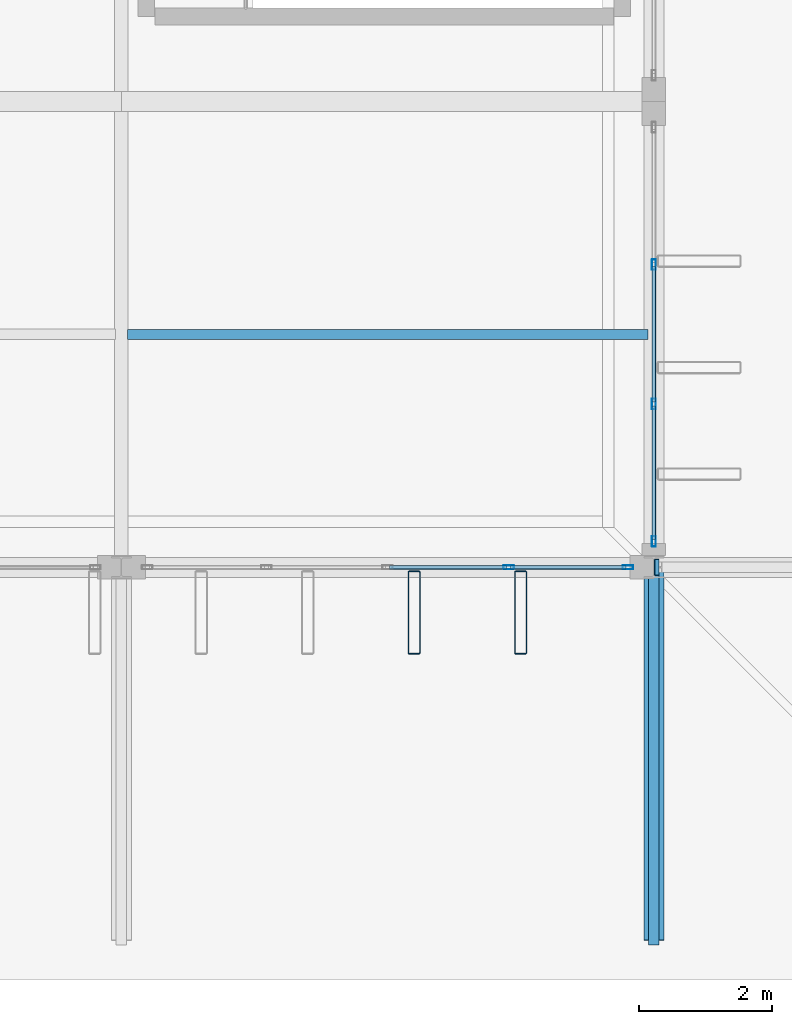
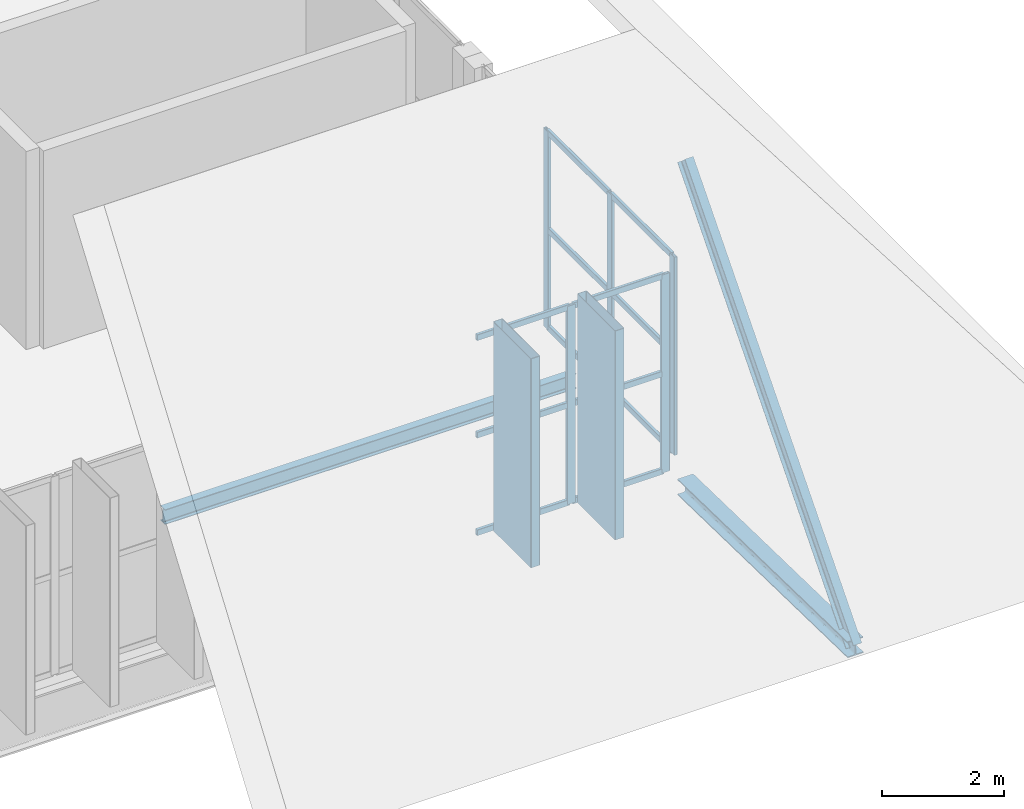
# One storey, part 38 of 93: 20 members, 2 beams, 2 elements without a shape of their own.
"""IFC4 building model written with IfcOpenShell, lengths in metres."""

import ifcopenshell
import ifcopenshell.guid

model = None  # the IFC model being written
_history = None  # IfcOwnerHistory: only IFC2X3 demands one
_inside = {}  # id of a spatial element -> (the spatial element, [elements in it])
_under = {}  # id of a project, library or spatial element -> (it, [spatial elements below it])
_declared = {}  # id of a project -> (the project, [libraries it declares])
_typed = {}  # id of a type object -> (the type object, [elements of that type])
_made_of = {}  # id of a material, layer set ... -> (it, [elements and type objects made of it])


def new_model(schema):
    """Start an empty IFC model of exactly this schema.

    Asked for "IFC4X3", IfcOpenShell would pick the latest addendum, in which some entities
    have other attributes; the version numbers below select the first issue.
    IFC2X3 requires an IfcOwnerHistory on every rooted entity: one is made here for all.
    """
    global model, _history
    if schema == "IFC4X3":
        model = ifcopenshell.file(schema_version=(4, 3, 0, 0))
    else:
        model = ifcopenshell.file(schema=schema)
    _inside.clear()
    _under.clear()
    _declared.clear()
    _typed.clear()
    _made_of.clear()
    _history = None
    if model.schema == "IFC2X3":
        org = make("IfcOrganization", Name="unknown")
        user = make(
            "IfcPersonAndOrganization",
            ThePerson=make("IfcPerson", FamilyName="unknown"),
            TheOrganization=org,
        )
        app = make(
            "IfcApplication",
            ApplicationDeveloper=org,
            Version="unknown",
            ApplicationFullName="unknown",
            ApplicationIdentifier="unknown",
        )
        _history = make(
            "IfcOwnerHistory",
            OwningUser=user,
            OwningApplication=app,
            ChangeAction="ADDED",
            CreationDate=0,
        )
    return model


def make(cls, **values):
    """One entity of the class cls with the attributes given. An attribute that is None is left unset."""
    return model.create_entity(
        cls, **{name: value for name, value in values.items() if value is not None}
    )


def rooted(cls, **values):
    """An entity with a GlobalId (a new one), such as an element, a storey or a relation."""
    return make(cls, GlobalId=ifcopenshell.guid.new(), OwnerHistory=_history, **values)


def si_unit(unit_type, name, prefix=None):
    """IfcSIUnit, for example si_unit("LENGTHUNIT", "METRE", prefix="MILLI")."""
    return make("IfcSIUnit", UnitType=unit_type, Prefix=prefix, Name=name)


def assignment(units):
    """IfcUnitAssignment: the units of a project."""
    return None if units is None else make("IfcUnitAssignment", Units=units)


def point(xyz):
    """IfcCartesianPoint."""
    return None if xyz is None else make("IfcCartesianPoint", Coordinates=xyz)


def direction(xyz):
    """IfcDirection."""
    return None if xyz is None else make("IfcDirection", DirectionRatios=xyz)


def frame(location, z_axis=None, x_axis=None):
    """IfcAxis2Placement3D, a coordinate frame: its origin and axes. An axis left out is left unset."""
    return make(
        "IfcAxis2Placement3D",
        Location=point(location),
        Axis=direction(z_axis),
        RefDirection=direction(x_axis),
    )


def frame_2d(location, x_axis=None):
    """IfcAxis2Placement2D, a coordinate frame in the plane: its origin and x axis."""
    return make(
        "IfcAxis2Placement2D", Location=point(location), RefDirection=direction(x_axis)
    )


def origin():
    """The frame at (0, 0, 0) with its axes left unset."""
    return frame((0.0, 0.0, 0.0))


def origin_2d():
    """The frame at (0, 0) in the plane with its x axis left unset."""
    return frame_2d((0.0, 0.0))


def place(relative_to, where):
    """IfcLocalPlacement: puts the frame where relative to a parent placement (None: the world)."""
    return make(
        "IfcLocalPlacement", PlacementRelTo=relative_to, RelativePlacement=where
    )


def context(
    kind, dimensions, precision=None, world=None, true_north=None, identifier=None
):
    """IfcGeometricRepresentationContext, for example the 3D "Model" context."""
    return make(
        "IfcGeometricRepresentationContext",
        ContextIdentifier=identifier,
        ContextType=kind,
        CoordinateSpaceDimension=dimensions,
        Precision=precision,
        WorldCoordinateSystem=world,
        TrueNorth=true_north,
    )


def subcontext(parent, identifier, kind, view, scale=None):
    """IfcGeometricRepresentationSubContext, for example "Body" below "Model"."""
    return make(
        "IfcGeometricRepresentationSubContext",
        ContextIdentifier=identifier,
        ContextType=kind,
        ParentContext=parent,
        TargetScale=scale,
        TargetView=view,
    )


def project(units=None, contexts=None):
    """IfcProject with its units and contexts."""
    return rooted(
        "IfcProject",
        Name="project",
        RepresentationContexts=contexts,
        UnitsInContext=assignment(units),
    )


def spatial(cls, under=None, at=None, **own):
    """A site, building, storey or space (cls), placed at a placement, below another one or the project."""
    s = rooted(cls, ObjectPlacement=at, **own)
    if under is not None:
        _under.setdefault(under.id(), (under, []))[1].append(s)
    return s


def profile(cls, at=None, kind="AREA", **sizes):
    """A parametric profile (cls). Its sizes go by their IFC names, for example OverallWidth=200.0."""
    return make(cls, ProfileType=kind, Position=at, **sizes)


def hollow_rectangle(**sizes):
    """IfcRectangleHollowProfileDef."""
    return profile("IfcRectangleHollowProfileDef", **sizes)


def i_section(**sizes):
    """IfcIShapeProfileDef."""
    return profile("IfcIShapeProfileDef", **sizes)


def extrude(swept, where, along, depth):
    """IfcExtrudedAreaSolid: the profile swept, set in the frame where, extruded along a direction by depth."""
    return make(
        "IfcExtrudedAreaSolid",
        SweptArea=swept,
        Position=where,
        ExtrudedDirection=direction(along),
        Depth=depth,
    )


def shape(context_of_items, identifier, shape_type, items):
    """IfcShapeRepresentation: the items that make up one representation, for example the "Body"."""
    return make(
        "IfcShapeRepresentation",
        ContextOfItems=context_of_items,
        RepresentationIdentifier=identifier,
        RepresentationType=shape_type,
        Items=items,
    )


def material(Name=None, Category=None):
    """IfcMaterial."""
    return make("IfcMaterial", Name=Name, Category=Category)


def layer(
    of_material, thickness, ventilated=None, Name=None, Category=None, Priority=None
):
    """IfcMaterialLayer: one layer of a wall or slab, of a material (None: an air gap)."""
    return make(
        "IfcMaterialLayer",
        Material=of_material,
        LayerThickness=thickness,
        IsVentilated=ventilated,
        Name=Name,
        Category=Category,
        Priority=Priority,
    )


def layer_set(layers, Name=None):
    """IfcMaterialLayerSet."""
    return make("IfcMaterialLayerSet", MaterialLayers=layers, LayerSetName=Name)


def material_profile(
    of_material, cross_section, Name=None, Category=None, Priority=None
):
    """IfcMaterialProfile: a cross section and its material."""
    return make(
        "IfcMaterialProfile",
        Name=Name,
        Material=of_material,
        Profile=cross_section,
        Priority=Priority,
        Category=Category,
    )


def profile_set(profiles, Name=None, composite=None):
    """IfcMaterialProfileSet."""
    return make(
        "IfcMaterialProfileSet",
        Name=Name,
        MaterialProfiles=profiles,
        CompositeProfile=composite,
    )


def made_of(thing, what):
    """Note that an element or type object is made of a material, layer set ...; save() writes the relation."""
    if what is not None:
        _made_of.setdefault(what.id(), (what, []))[1].append(thing)
    return thing


def type_object(cls, material=None, **own):
    """A type object (cls), such as IfcWallType, which elements share."""
    return made_of(rooted(cls, **own), material)


def element(
    cls,
    number,
    at=None,
    inside=None,
    cuts=None,
    type_object=None,
    material=None,
    context=None,
    identifier="Body",
    shape_type=None,
    held_by="IfcProductDefinitionShape",
    body=None,
    shapes=None,
    **own,
):
    """One element of the class cls, such as IfcWall. Its Tag is "e" and its number.

    at: its placement. inside: the storey or other place that contains it. cuts: it is an
    opening in that element (IfcRelVoidsElement). A single representation is given by context,
    identifier, shape_type and body (its items); several are given by shapes. held_by: the class
    of the entity that holds the representations. save() writes the other relations.
    """
    e = rooted(cls, Tag="e%d" % number, ObjectPlacement=at, **own)
    if body is not None:
        shapes = [shape(context, identifier, shape_type, body)]
    if shapes is not None:
        e.Representation = make(held_by, Representations=shapes)
    if inside is not None:
        _inside.setdefault(inside.id(), (inside, []))[1].append(e)
    if cuts is not None:
        rooted(
            "IfcRelVoidsElement", RelatingBuildingElement=cuts, RelatedOpeningElement=e
        )
    if type_object is not None:
        _typed.setdefault(type_object.id(), (type_object, []))[1].append(e)
    return made_of(e, material)


def aggregate(whole, parts):
    """IfcRelAggregates: a whole, such as a stair, and the parts it consists of."""
    return rooted("IfcRelAggregates", RelatingObject=whole, RelatedObjects=parts)


def save(model, path):
    """Write the relations noted so far, then the file.

    IfcRelAggregates (storeys below a building ...), IfcRelContainedInSpatialStructure (elements
    in a storey), IfcRelDefinesByType, IfcRelAssociatesMaterial and IfcRelDeclares: one each for
    every whole, place, type object, material and project.
    """
    for whole, parts in _under.values():
        aggregate(whole, parts)
    for where, things in _inside.values():
        rooted(
            "IfcRelContainedInSpatialStructure",
            RelatedElements=things,
            RelatingStructure=where,
        )
    for kind, things in _typed.values():
        rooted("IfcRelDefinesByType", RelatedObjects=things, RelatingType=kind)
    for what, things in _made_of.values():
        rooted("IfcRelAssociatesMaterial", RelatedObjects=things, RelatingMaterial=what)
    for by, libraries in _declared.values():
        rooted("IfcRelDeclares", RelatingContext=by, RelatedDefinitions=libraries)
    model.write(path)


model = new_model("IFC4")

# Units and contexts
model_context = context("Model", 3, precision=1e-05, world=origin(), true_north=direction((0.0, 1.0)))
body_context = subcontext(model_context, "Body", "Model", "MODEL_VIEW")
ifc_project = project(units=[si_unit("LENGTHUNIT", "METRE"), si_unit("AREAUNIT", "SQUARE_METRE"), si_unit("VOLUMEUNIT", "CUBIC_METRE"), si_unit("PLANEANGLEUNIT", "RADIAN"), si_unit("MASSUNIT", "GRAM", prefix="KILO")], contexts=[model_context])

# Site, building, storey
site_placement = place(None, origin())
site = spatial("IfcSite", under=ifc_project, at=site_placement, CompositionType="ELEMENT")
building_placement = place(site_placement, origin())
building = spatial("IfcBuilding", under=site, at=building_placement, Name="Vekula Escarpment Museum", CompositionType="ELEMENT")
storey_placement = place(building_placement, frame((0.0, 0.0, 22.199951171875)))
storey = spatial("IfcBuildingStorey", under=building, at=storey_placement, Name="L05", CompositionType="ELEMENT", Elevation=22.199951171875)

# Beams
ifc_material_1 = material(Name="Steel S355", Category="steel")
ifc_material_profile_1 = material_profile(ifc_material_1, i_section(OverallWidth=0.300048828125, OverallDepth=0.320068359375, WebThickness=0.011474609375, FlangeThickness=0.0205078125, FilletRadius=0.027099609375, at=origin_2d()), Name="HEB 320")
ifc_profile_set_1 = profile_set([ifc_material_profile_1], Name="Steel S355")
beam_type_1 = type_object("IfcBeamType", Name="BM-EAVE-OUT", PredefinedType="BEAM", material=ifc_profile_set_1)
beam_1_placement = place(storey_placement, frame((126.0, 45.60009765625, -0.39990234375), z_axis=(0.0, -0.999770980386, 0.021400625659), x_axis=(1.0, 0.0, 0.0)))
element("IfcBeam", 1, at=beam_1_placement, inside=storey, type_object=beam_type_1, Name="Great Hall South Eave Outrigger 126", PredefinedType="BEAM", context=body_context, shape_type="SweptSolid", body=[
    extrude(i_section(OverallWidth=0.300048828125, OverallDepth=0.320068359375, WebThickness=0.011474609375, FlangeThickness=0.0205078125, FilletRadius=0.027099609375, at=origin_2d()), origin(), (0.0, 0.0, 1.0), 5.601318359375),
])
ifc_material_2 = material(Name="Steel S355", Category="steel")
ifc_material_profile_2 = material_profile(ifc_material_2, i_section(OverallWidth=0.14990234375, OverallDepth=0.300048828125, WebThickness=0.007080078125, FlangeThickness=0.0107421875, FilletRadius=0.014892578125, at=origin_2d()), Name="IPE 300")
ifc_profile_set_2 = profile_set([ifc_material_profile_2], Name="Steel S355")
beam_type_2 = type_object("IfcBeamType", Name="BM-JST-IPE300", PredefinedType="JOIST", material=ifc_profile_set_2)
beam_2_placement = place(storey_placement, frame((118.090087890625, 49.10009765625, -0.369873046875), z_axis=(1.0, 0.0, 0.0), x_axis=(0.0, 1.0, 0.0)))
element("IfcBeam", 2, at=beam_2_placement, inside=storey, type_object=beam_type_2, Name="Secondary Joist L05 1374", PredefinedType="JOIST", context=body_context, shape_type="SweptSolid", body=[
    extrude(i_section(OverallWidth=0.14990234375, OverallDepth=0.300048828125, WebThickness=0.007080078125, FlangeThickness=0.0107421875, FilletRadius=0.014892578125, at=origin_2d()), origin(), (0.0, 0.0, 1.0), 7.81982421875),
])

# Curtain wall, members
ifc_material_3 = material(Name="Aluminium thermally broken framing", Category="aluminium")
ifc_layer_1 = layer(ifc_material_3, 0.14990234375)
ifc_layer_set_1 = layer_set([ifc_layer_1], Name="Aluminium thermally broken framing")
curtain_wall_type_1 = type_object("IfcCurtainWallType", Name="CW-SYS-09", PredefinedType="NOTDEFINED", material=ifc_layer_set_1)
curtain_wall_1_placement = place(storey_placement, origin())
curtain_wall_1 = element("IfcCurtainWall", 3, at=curtain_wall_1_placement, inside=storey, type_object=curtain_wall_type_1, Name="Curtain Wall CW-L05-169", PredefinedType="NOTDEFINED")
ifc_material_4 = material(Name="Aluminium anodized mullion", Category="aluminium")
ifc_material_profile_3 = material_profile(ifc_material_4, hollow_rectangle(XDim=0.06005859375, YDim=0.159912109375, WallThickness=0.00390625, InnerFilletRadius=0.00390625, OuterFilletRadius=0.008056640625, at=origin_2d()), Name="ALU 160x60x4")
ifc_profile_set_3 = profile_set([ifc_material_profile_3], Name="Aluminium anodized mullion")
member_type_1 = type_object("IfcMemberType", Name="CW-MUL-160", PredefinedType="MULLION", material=ifc_profile_set_3)
member_1_placement = place(storey_placement, frame((123.820068359375, 45.60009765625, 0.0), z_axis=(0.0, 0.0, 1.0), x_axis=(0.0, 1.0, 0.0)))
member_1 = element("IfcMember", 4, at=member_1_placement, type_object=member_type_1, Name="CW-09 mullion 4", PredefinedType="MULLION", context=body_context, shape_type="SweptSolid", body=[
    extrude(hollow_rectangle(XDim=0.06005859375, YDim=0.159912109375, WallThickness=0.00390625, InnerFilletRadius=0.00390625, OuterFilletRadius=0.008056640625, at=origin_2d()), origin(), (0.0, 0.0, 1.0), 3.97998046875),
])
member_2_placement = place(storey_placement, frame((125.610107421875, 45.60009765625, 0.0), z_axis=(0.0, 0.0, 1.0), x_axis=(0.0, 1.0, 0.0)))
member_2 = element("IfcMember", 5, at=member_2_placement, type_object=member_type_1, Name="CW-09 mullion 5", PredefinedType="MULLION", context=body_context, shape_type="SweptSolid", body=[
    extrude(hollow_rectangle(XDim=0.06005859375, YDim=0.159912109375, WallThickness=0.00390625, InnerFilletRadius=0.00390625, OuterFilletRadius=0.008056640625, at=origin_2d()), origin(), (0.0, 0.0, 1.0), 3.97998046875),
])

ifc_material_5 = material(Name="Aluminium thermally broken framing", Category="aluminium")
ifc_layer_2 = layer(ifc_material_5, 0.169921875)
ifc_layer_set_2 = layer_set([ifc_layer_2], Name="Aluminium thermally broken framing")
curtain_wall_type_2 = type_object("IfcCurtainWallType", Name="CW-SYS-10", PredefinedType="NOTDEFINED", material=ifc_layer_set_2)
curtain_wall_2_placement = place(storey_placement, origin())
curtain_wall_2 = element("IfcCurtainWall", 6, at=curtain_wall_2_placement, inside=storey, type_object=curtain_wall_type_2, Name="Curtain Wall CW-L05-170", PredefinedType="NOTDEFINED")
member_3_placement = place(storey_placement, frame((126.0, 45.989990234375, 0.0), z_axis=(0.0, 0.0, 1.0), x_axis=(-1.0, 0.0, 0.0)))
member_3 = element("IfcMember", 7, at=member_3_placement, type_object=member_type_1, Name="CW-10 mullion 1", PredefinedType="MULLION", context=body_context, shape_type="SweptSolid", body=[
    extrude(hollow_rectangle(XDim=0.06005859375, YDim=0.159912109375, WallThickness=0.00390625, InnerFilletRadius=0.00390625, OuterFilletRadius=0.008056640625, at=origin_2d()), origin(), (0.0, 0.0, 1.0), 3.97998046875),
])
member_4_placement = place(storey_placement, frame((126.0, 48.05322265625, 0.0), z_axis=(0.0, 0.0, 1.0), x_axis=(-1.0, 0.0, 0.0)))
member_4 = element("IfcMember", 8, at=member_4_placement, type_object=member_type_1, Name="CW-10 mullion 2", PredefinedType="MULLION", context=body_context, shape_type="SweptSolid", body=[
    extrude(hollow_rectangle(XDim=0.06005859375, YDim=0.159912109375, WallThickness=0.00390625, InnerFilletRadius=0.00390625, OuterFilletRadius=0.008056640625, at=origin_2d()), origin(), (0.0, 0.0, 1.0), 3.97998046875),
])
member_5_placement = place(storey_placement, frame((126.0, 50.146728515625, 0.0), z_axis=(0.0, 0.0, 1.0), x_axis=(-1.0, 0.0, 0.0)))
member_5 = element("IfcMember", 9, at=member_5_placement, type_object=member_type_1, Name="CW-10 mullion 3", PredefinedType="MULLION", context=body_context, shape_type="SweptSolid", body=[
    extrude(hollow_rectangle(XDim=0.06005859375, YDim=0.159912109375, WallThickness=0.00390625, InnerFilletRadius=0.00390625, OuterFilletRadius=0.008056640625, at=origin_2d()), origin(), (0.0, 0.0, 1.0), 3.97998046875),
])

# Member
ifc_material_6 = material(Name="Aluminium anodized transom", Category="aluminium")
ifc_material_profile_4 = material_profile(ifc_material_6, hollow_rectangle(XDim=0.06005859375, YDim=0.1201171875, WallThickness=0.00390625, InnerFilletRadius=0.00390625, OuterFilletRadius=0.008056640625, at=origin_2d()), Name="ALU 120x60x4")
ifc_profile_set_4 = profile_set([ifc_material_profile_4], Name="Aluminium anodized transom")
member_type_2 = type_object("IfcMemberType", Name="CW-TRN-120", PredefinedType="USERDEFINED", material=ifc_profile_set_4)
member_6_placement = place(storey_placement, frame((122.030029296875, 45.60009765625, 0.030029296875), z_axis=(1.0, 0.0, 0.0), x_axis=(0.0, 1.0, 0.0)))
member_6 = element("IfcMember", 10, at=member_6_placement, type_object=member_type_2, Name="CW-09 transom 3.1", ObjectType="TRANSOM", PredefinedType="USERDEFINED", context=body_context, shape_type="SweptSolid", body=[
    extrude(hollow_rectangle(XDim=0.06005859375, YDim=0.1201171875, WallThickness=0.00390625, InnerFilletRadius=0.00390625, OuterFilletRadius=0.008056640625, at=origin_2d()), origin(), (0.0, 0.0, 1.0), 1.760009765625),
])

member_7_placement = place(storey_placement, frame((122.030029296875, 45.60009765625, 1.989990234375), z_axis=(1.0, 0.0, 0.0), x_axis=(0.0, 1.0, 0.0)))
member_7 = element("IfcMember", 11, at=member_7_placement, type_object=member_type_2, Name="CW-09 transom 3.2", ObjectType="TRANSOM", PredefinedType="USERDEFINED", context=body_context, shape_type="SweptSolid", body=[
    extrude(hollow_rectangle(XDim=0.06005859375, YDim=0.1201171875, WallThickness=0.00390625, InnerFilletRadius=0.00390625, OuterFilletRadius=0.008056640625, at=origin_2d()), origin(), (0.0, 0.0, 1.0), 1.760009765625),
])

member_8_placement = place(storey_placement, frame((122.030029296875, 45.60009765625, 3.949951171875), z_axis=(1.0, 0.0, 0.0), x_axis=(0.0, 1.0, 0.0)))
member_8 = element("IfcMember", 12, at=member_8_placement, type_object=member_type_2, Name="CW-09 transom 3.3", ObjectType="TRANSOM", PredefinedType="USERDEFINED", context=body_context, shape_type="SweptSolid", body=[
    extrude(hollow_rectangle(XDim=0.06005859375, YDim=0.1201171875, WallThickness=0.00390625, InnerFilletRadius=0.00390625, OuterFilletRadius=0.008056640625, at=origin_2d()), origin(), (0.0, 0.0, 1.0), 1.760009765625),
])

member_9_placement = place(storey_placement, frame((123.85009765625, 45.60009765625, 0.030029296875), z_axis=(1.0, 0.0, 0.0), x_axis=(0.0, 1.0, 0.0)))
member_9 = element("IfcMember", 13, at=member_9_placement, type_object=member_type_2, Name="CW-09 transom 4.1", ObjectType="TRANSOM", PredefinedType="USERDEFINED", context=body_context, shape_type="SweptSolid", body=[
    extrude(hollow_rectangle(XDim=0.06005859375, YDim=0.1201171875, WallThickness=0.00390625, InnerFilletRadius=0.00390625, OuterFilletRadius=0.008056640625, at=origin_2d()), origin(), (0.0, 0.0, 1.0), 1.72998046875),
])

member_10_placement = place(storey_placement, frame((123.85009765625, 45.60009765625, 1.989990234375), z_axis=(1.0, 0.0, 0.0), x_axis=(0.0, 1.0, 0.0)))
member_10 = element("IfcMember", 14, at=member_10_placement, type_object=member_type_2, Name="CW-09 transom 4.2", ObjectType="TRANSOM", PredefinedType="USERDEFINED", context=body_context, shape_type="SweptSolid", body=[
    extrude(hollow_rectangle(XDim=0.06005859375, YDim=0.1201171875, WallThickness=0.00390625, InnerFilletRadius=0.00390625, OuterFilletRadius=0.008056640625, at=origin_2d()), origin(), (0.0, 0.0, 1.0), 1.72998046875),
])

member_11_placement = place(storey_placement, frame((123.85009765625, 45.60009765625, 3.949951171875), z_axis=(1.0, 0.0, 0.0), x_axis=(0.0, 1.0, 0.0)))
member_11 = element("IfcMember", 15, at=member_11_placement, type_object=member_type_2, Name="CW-09 transom 4.3", ObjectType="TRANSOM", PredefinedType="USERDEFINED", context=body_context, shape_type="SweptSolid", body=[
    extrude(hollow_rectangle(XDim=0.06005859375, YDim=0.1201171875, WallThickness=0.00390625, InnerFilletRadius=0.00390625, OuterFilletRadius=0.008056640625, at=origin_2d()), origin(), (0.0, 0.0, 1.0), 1.72998046875),
])

aggregate(curtain_wall_1, [member_1, member_2, member_6, member_7, member_8, member_9, member_10, member_11])

member_12_placement = place(storey_placement, frame((126.0, 46.02001953125, 0.030029296875), z_axis=(0.0, 1.0, 0.0), x_axis=(-1.0, 0.0, 0.0)))
member_12 = element("IfcMember", 16, at=member_12_placement, type_object=member_type_2, Name="CW-10 transom 1.1", ObjectType="TRANSOM", PredefinedType="USERDEFINED", context=body_context, shape_type="SweptSolid", body=[
    extrude(hollow_rectangle(XDim=0.06005859375, YDim=0.1201171875, WallThickness=0.00390625, InnerFilletRadius=0.00390625, OuterFilletRadius=0.008056640625, at=origin_2d()), origin(), (0.0, 0.0, 1.0), 2.00341796875),
])

member_13_placement = place(storey_placement, frame((126.0, 46.02001953125, 1.989990234375), z_axis=(0.0, 1.0, 0.0), x_axis=(-1.0, 0.0, 0.0)))
member_13 = element("IfcMember", 17, at=member_13_placement, type_object=member_type_2, Name="CW-10 transom 1.2", ObjectType="TRANSOM", PredefinedType="USERDEFINED", context=body_context, shape_type="SweptSolid", body=[
    extrude(hollow_rectangle(XDim=0.06005859375, YDim=0.1201171875, WallThickness=0.00390625, InnerFilletRadius=0.00390625, OuterFilletRadius=0.008056640625, at=origin_2d()), origin(), (0.0, 0.0, 1.0), 2.00341796875),
])

member_14_placement = place(storey_placement, frame((126.0, 46.02001953125, 3.949951171875), z_axis=(0.0, 1.0, 0.0), x_axis=(-1.0, 0.0, 0.0)))
member_14 = element("IfcMember", 18, at=member_14_placement, type_object=member_type_2, Name="CW-10 transom 1.3", ObjectType="TRANSOM", PredefinedType="USERDEFINED", context=body_context, shape_type="SweptSolid", body=[
    extrude(hollow_rectangle(XDim=0.06005859375, YDim=0.1201171875, WallThickness=0.00390625, InnerFilletRadius=0.00390625, OuterFilletRadius=0.008056640625, at=origin_2d()), origin(), (0.0, 0.0, 1.0), 2.00341796875),
])

member_15_placement = place(storey_placement, frame((126.0, 48.083251953125, 0.030029296875), z_axis=(0.0, 1.0, 0.0), x_axis=(-1.0, 0.0, 0.0)))
member_15 = element("IfcMember", 19, at=member_15_placement, type_object=member_type_2, Name="CW-10 transom 2.1", ObjectType="TRANSOM", PredefinedType="USERDEFINED", context=body_context, shape_type="SweptSolid", body=[
    extrude(hollow_rectangle(XDim=0.06005859375, YDim=0.1201171875, WallThickness=0.00390625, InnerFilletRadius=0.00390625, OuterFilletRadius=0.008056640625, at=origin_2d()), origin(), (0.0, 0.0, 1.0), 2.033447265625),
])

member_16_placement = place(storey_placement, frame((126.0, 48.083251953125, 1.989990234375), z_axis=(0.0, 1.0, 0.0), x_axis=(-1.0, 0.0, 0.0)))
member_16 = element("IfcMember", 20, at=member_16_placement, type_object=member_type_2, Name="CW-10 transom 2.2", ObjectType="TRANSOM", PredefinedType="USERDEFINED", context=body_context, shape_type="SweptSolid", body=[
    extrude(hollow_rectangle(XDim=0.06005859375, YDim=0.1201171875, WallThickness=0.00390625, InnerFilletRadius=0.00390625, OuterFilletRadius=0.008056640625, at=origin_2d()), origin(), (0.0, 0.0, 1.0), 2.033447265625),
])

member_17_placement = place(storey_placement, frame((126.0, 48.083251953125, 3.949951171875), z_axis=(0.0, 1.0, 0.0), x_axis=(-1.0, 0.0, 0.0)))
member_17 = element("IfcMember", 21, at=member_17_placement, type_object=member_type_2, Name="CW-10 transom 2.3", ObjectType="TRANSOM", PredefinedType="USERDEFINED", context=body_context, shape_type="SweptSolid", body=[
    extrude(hollow_rectangle(XDim=0.06005859375, YDim=0.1201171875, WallThickness=0.00390625, InnerFilletRadius=0.00390625, OuterFilletRadius=0.008056640625, at=origin_2d()), origin(), (0.0, 0.0, 1.0), 2.033447265625),
])

aggregate(curtain_wall_2, [member_3, member_4, member_5, member_12, member_13, member_14, member_15, member_16, member_17])

# Members
ifc_material_7 = material(Name="Steel S355", Category="steel")
ifc_material_profile_5 = material_profile(ifc_material_7, i_section(OverallWidth=0.159912109375, OverallDepth=0.330078125, WebThickness=0.007568359375, FlangeThickness=0.011474609375, FilletRadius=0.01806640625, at=origin_2d()), Name="IPE 330")
ifc_profile_set_5 = profile_set([ifc_material_profile_5], Name="Steel S355")
member_type_3 = type_object("IfcMemberType", Name="MB-SKIRT-RAFTER", PredefinedType="CHORD", material=ifc_profile_set_5)
member_18_placement = place(storey_placement, frame((126.0, 40.050048828125, -0.280029296875), z_axis=(0.0, 0.654565426105, 0.756005359073), x_axis=(-1.0, 0.0, 0.0)))
element("IfcMember", 22, at=member_18_placement, inside=storey, type_object=member_type_3, Name="Truncated-Hip Rafter South 126", PredefinedType="CHORD", context=body_context, shape_type="SweptSolid", body=[
    extrude(i_section(OverallWidth=0.159912109375, OverallDepth=0.330078125, WebThickness=0.007568359375, FlangeThickness=0.011474609375, FilletRadius=0.01806640625, at=origin_2d()), origin(), (0.0, 0.0, 1.0), 8.47900390625),
])
ifc_material_8 = material(Name="Steel S355 weathered bronze solar fin", Category="steel")
ifc_material_profile_6 = material_profile(ifc_material_8, hollow_rectangle(XDim=0.179931640625, YDim=1.25, WallThickness=0.010009765625, InnerFilletRadius=0.010009765625, OuterFilletRadius=0.02001953125, at=origin_2d()), Name="RHS 1250x180x10")
ifc_profile_set_6 = profile_set([ifc_material_profile_6], Name="Steel S355 weathered bronze solar fin")
member_type_4 = type_object("IfcMemberType", Name="MB-SOLAR-FIN", PredefinedType="USERDEFINED", material=ifc_profile_set_6)
for number, where, z_axis, x_axis, name in (
    (23, (122.39990234375, 44.919921875, 0.0), (0.0, 0.0, 1.0), (1.0, 0.0, 0.0), "Great Hall Vertical Solar Fin 0125"),
    (24, (124.0, 44.919921875, 0.0), (0.0, 0.0, 1.0), (1.0, 0.0, 0.0), "Great Hall Vertical Solar Fin 0130"),
):
    element("IfcMember", number, at=place(storey_placement, frame(where, z_axis=z_axis, x_axis=x_axis)), inside=storey, type_object=member_type_4, Name=name, ObjectType="SOLAR FIN", PredefinedType="USERDEFINED", context=body_context, shape_type="SweptSolid", body=[
        extrude(hollow_rectangle(XDim=0.179931640625, YDim=1.25, WallThickness=0.010009765625, InnerFilletRadius=0.010009765625, OuterFilletRadius=0.02001953125, at=origin_2d()), origin(), (0.0, 0.0, 1.0), 4.199951171875),
    ])

save(model, "model.ifc")
